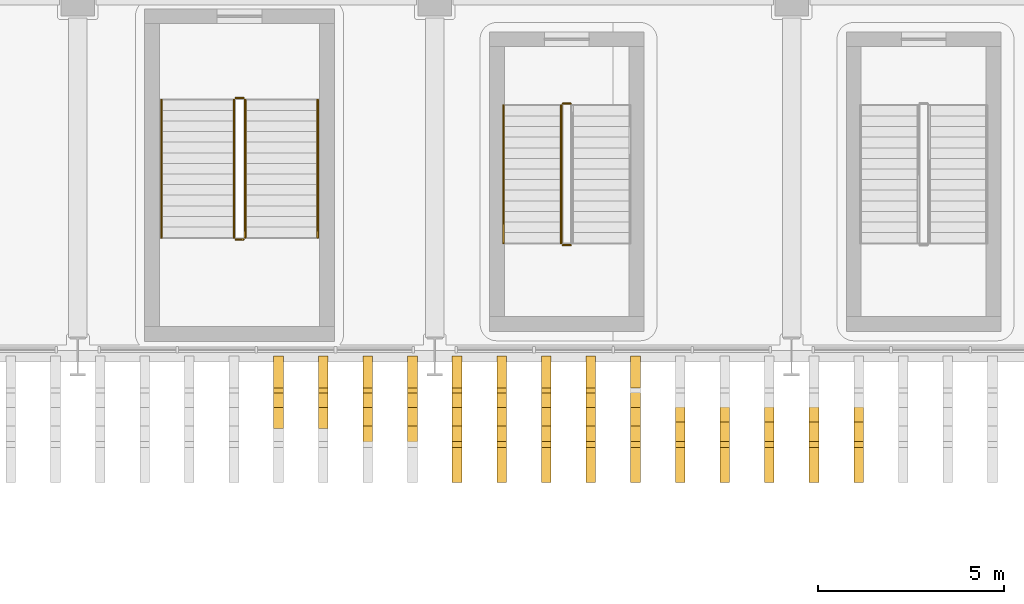
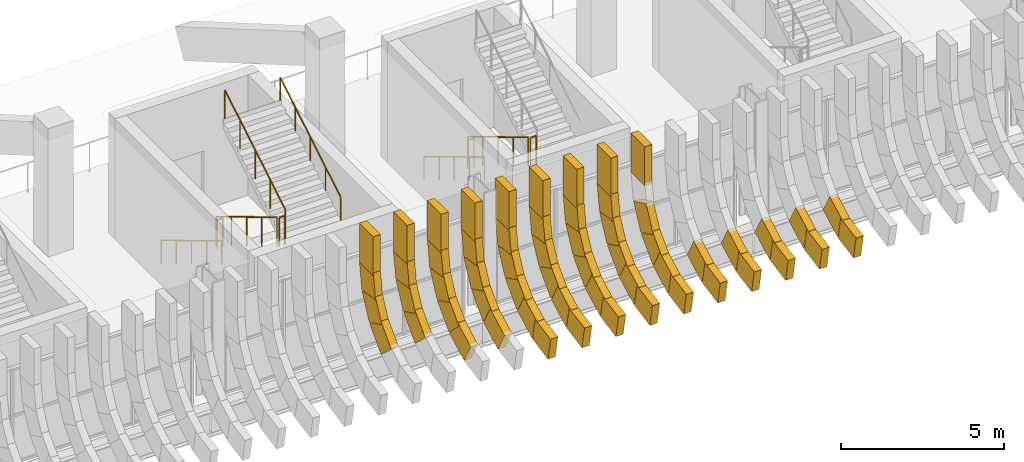
# One storey, part 72 of 100: 57 coverings, 10 railings.
"""IFC4 building model written with IfcOpenShell, lengths in metres."""

from ifc_helpers import new_model, si_unit, direction, frame, origin, origin_2d, place, context, subcontext, project, spatial, rectangle, circle, extrude, material, material_profile, profile_set, type_object, element, save


model = new_model("IFC4")

# Units and contexts
model_context = context("Model", 3, precision=1e-05, world=origin(), true_north=direction((0.0, 1.0)))
body_context = subcontext(model_context, "Body", "Model", "MODEL_VIEW")
ifc_project = project(units=[si_unit("LENGTHUNIT", "METRE"), si_unit("AREAUNIT", "SQUARE_METRE"), si_unit("VOLUMEUNIT", "CUBIC_METRE"), si_unit("PLANEANGLEUNIT", "RADIAN"), si_unit("MASSUNIT", "GRAM", prefix="KILO")], contexts=[model_context])

# Site, building, storey
site_placement = place(None, origin())
site = spatial("IfcSite", under=ifc_project, at=site_placement, CompositionType="ELEMENT")
building_placement = place(site_placement, origin())
building = spatial("IfcBuilding", under=site, at=building_placement, Name="Caelomonte Colonnade Arena", CompositionType="ELEMENT")
storey_placement = place(building_placement, origin())
storey = spatial("IfcBuildingStorey", under=building, at=storey_placement, Name="L00", CompositionType="ELEMENT", Elevation=0.0)

# Coverings
ifc_material_1 = material(Name="Precast travertine cladding", Category="masonry")
ifc_material_profile = material_profile(ifc_material_1, rectangle(XDim=0.260009765625, YDim=0.85009765625, at=origin_2d()), Name="FIN260X850")
ifc_profile_set = profile_set([ifc_material_profile], Name="Precast travertine cladding")
covering_type = type_object("IfcCoveringType", Name="ENV-FN-SKIRT", PredefinedType="CLADDING", material=ifc_profile_set)
covering_1_placement = place(storey_placement, frame((101.39990234375, 18.779052734375, 3.360107421875), z_axis=(0.0, 0.0, 1.0), x_axis=(-1.0, 0.0, 0.0)))
element("IfcCovering", 1, at=covering_1_placement, inside=storey, type_object=covering_type, Name="V1 L00 upper classical fin stem 258", PredefinedType="CLADDING", context=body_context, shape_type="SweptSolid", body=[
    extrude(rectangle(XDim=0.260009765625, YDim=0.85009765625, at=origin_2d()), origin(), (0.0, 0.0, 1.0), 1.4599609375),
])
for number, where, z_axis, x_axis, name in (
    (2, (101.39990234375, 18.785888671875, 3.474609375), (0.0, -0.153076342973, -0.988214366027), (-1.0, 0.0, 0.0), "V1 L00 splayed classical fin skirt chord 1 (258)"),
    (3, (101.39990234375, 18.65869140625, 2.563232421875), (0.0, -0.444692864571, -0.89568312265), (-1.0, 0.0, 0.0), "V1 L00 splayed classical fin skirt chord 2 (258)"),
    (4, (101.39990234375, 18.26171875, 1.733154296875), (0.0, -0.694646381209, -0.71935137803), (-1.0, 0.0, 0.0), "V1 L00 splayed classical fin skirt chord 3 (258)"),
):
    element("IfcCovering", number, at=place(storey_placement, frame(where, z_axis=z_axis, x_axis=x_axis)), inside=storey, type_object=covering_type, Name=name, PredefinedType="CLADDING", context=body_context, shape_type="SweptSolid", body=[
        extrude(rectangle(XDim=0.260009765625, YDim=0.85009765625, at=origin_2d()), origin(), (0.0, 0.0, 1.0), 1.008056640625),
    ])
covering_2_placement = place(storey_placement, frame((102.60009765625, 18.779052734375, 3.360107421875), z_axis=(0.0, 0.0, 1.0), x_axis=(-1.0, 0.0, 0.0)))
element("IfcCovering", 5, at=covering_2_placement, inside=storey, type_object=covering_type, Name="V1 L00 upper classical fin stem 259", PredefinedType="CLADDING", context=body_context, shape_type="SweptSolid", body=[
    extrude(rectangle(XDim=0.260009765625, YDim=0.85009765625, at=origin_2d()), origin(), (0.0, 0.0, 1.0), 1.4599609375),
])
for number, where, z_axis, x_axis, name in (
    (6, (102.60009765625, 18.785888671875, 3.474609375), (0.0, -0.153076342973, -0.988214366027), (-1.0, 0.0, 0.0), "V1 L00 splayed classical fin skirt chord 1 (259)"),
    (7, (102.60009765625, 18.65869140625, 2.563232421875), (0.0, -0.444692864571, -0.89568312265), (-1.0, 0.0, 0.0), "V1 L00 splayed classical fin skirt chord 2 (259)"),
    (8, (102.60009765625, 18.26171875, 1.733154296875), (0.0, -0.694646381209, -0.71935137803), (-1.0, 0.0, 0.0), "V1 L00 splayed classical fin skirt chord 3 (259)"),
):
    element("IfcCovering", number, at=place(storey_placement, frame(where, z_axis=z_axis, x_axis=x_axis)), inside=storey, type_object=covering_type, Name=name, PredefinedType="CLADDING", context=body_context, shape_type="SweptSolid", body=[
        extrude(rectangle(XDim=0.260009765625, YDim=0.85009765625, at=origin_2d()), origin(), (0.0, 0.0, 1.0), 1.008056640625),
    ])
covering_3_placement = place(storey_placement, frame((103.800048828125, 18.779052734375, 3.360107421875), z_axis=(0.0, 0.0, 1.0), x_axis=(-1.0, 0.0, 0.0)))
element("IfcCovering", 9, at=covering_3_placement, inside=storey, type_object=covering_type, Name="V1 L00 upper classical fin stem 260", PredefinedType="CLADDING", context=body_context, shape_type="SweptSolid", body=[
    extrude(rectangle(XDim=0.260009765625, YDim=0.85009765625, at=origin_2d()), origin(), (0.0, 0.0, 1.0), 1.4599609375),
])
for number, where, z_axis, x_axis, name in (
    (10, (103.800048828125, 18.785888671875, 3.474609375), (0.0, -0.153076342973, -0.988214366027), (-1.0, 0.0, 0.0), "V1 L00 splayed classical fin skirt chord 1 (260)"),
    (11, (103.800048828125, 18.65869140625, 2.563232421875), (0.0, -0.444692864571, -0.89568312265), (-1.0, 0.0, 0.0), "V1 L00 splayed classical fin skirt chord 2 (260)"),
    (12, (103.800048828125, 18.26171875, 1.733154296875), (0.0, -0.694646381209, -0.71935137803), (-1.0, 0.0, 0.0), "V1 L00 splayed classical fin skirt chord 3 (260)"),
):
    element("IfcCovering", number, at=place(storey_placement, frame(where, z_axis=z_axis, x_axis=x_axis)), inside=storey, type_object=covering_type, Name=name, PredefinedType="CLADDING", context=body_context, shape_type="SweptSolid", body=[
        extrude(rectangle(XDim=0.260009765625, YDim=0.85009765625, at=origin_2d()), origin(), (0.0, 0.0, 1.0), 1.008056640625),
    ])
covering_4_placement = place(storey_placement, frame((103.800048828125, 17.63232421875, 1.061767578125), z_axis=(0.0, -0.879676382338, -0.475572772935), x_axis=(-1.0, 0.0, 0.0)))
element("IfcCovering", 13, at=covering_4_placement, inside=storey, type_object=covering_type, Name="V1 L00 splayed classical fin skirt chord 4 (260)", PredefinedType="CLADDING", context=body_context, shape_type="SweptSolid", body=[
    extrude(rectangle(XDim=0.260009765625, YDim=0.85009765625, at=origin_2d()), origin(), (0.0, 0.0, 1.0), 1.0078125),
])
covering_5_placement = place(storey_placement, frame((105.0, 18.779052734375, 3.360107421875), z_axis=(0.0, 0.0, 1.0), x_axis=(-1.0, 0.0, 0.0)))
element("IfcCovering", 14, at=covering_5_placement, inside=storey, type_object=covering_type, Name="V1 L00 upper classical fin stem 261", PredefinedType="CLADDING", context=body_context, shape_type="SweptSolid", body=[
    extrude(rectangle(XDim=0.260009765625, YDim=0.85009765625, at=origin_2d()), origin(), (0.0, 0.0, 1.0), 1.4599609375),
])
for number, where, z_axis, x_axis, name in (
    (15, (105.0, 18.785888671875, 3.474609375), (0.0, -0.153076342973, -0.988214366027), (-1.0, 0.0, 0.0), "V1 L00 splayed classical fin skirt chord 1 (261)"),
    (16, (105.0, 18.65869140625, 2.563232421875), (0.0, -0.444692864571, -0.89568312265), (-1.0, 0.0, 0.0), "V1 L00 splayed classical fin skirt chord 2 (261)"),
    (17, (105.0, 18.26171875, 1.733154296875), (0.0, -0.694646381209, -0.71935137803), (-1.0, 0.0, 0.0), "V1 L00 splayed classical fin skirt chord 3 (261)"),
):
    element("IfcCovering", number, at=place(storey_placement, frame(where, z_axis=z_axis, x_axis=x_axis)), inside=storey, type_object=covering_type, Name=name, PredefinedType="CLADDING", context=body_context, shape_type="SweptSolid", body=[
        extrude(rectangle(XDim=0.260009765625, YDim=0.85009765625, at=origin_2d()), origin(), (0.0, 0.0, 1.0), 1.008056640625),
    ])
covering_6_placement = place(storey_placement, frame((105.0, 17.63232421875, 1.061767578125), z_axis=(0.0, -0.879676382338, -0.475572772935), x_axis=(-1.0, 0.0, 0.0)))
element("IfcCovering", 18, at=covering_6_placement, inside=storey, type_object=covering_type, Name="V1 L00 splayed classical fin skirt chord 4 (261)", PredefinedType="CLADDING", context=body_context, shape_type="SweptSolid", body=[
    extrude(rectangle(XDim=0.260009765625, YDim=0.85009765625, at=origin_2d()), origin(), (0.0, 0.0, 1.0), 1.0078125),
])
covering_7_placement = place(storey_placement, frame((106.199951171875, 18.779052734375, 3.360107421875), z_axis=(0.0, 0.0, 1.0), x_axis=(-1.0, 0.0, 0.0)))
element("IfcCovering", 19, at=covering_7_placement, inside=storey, type_object=covering_type, Name="V1 L00 upper classical fin stem 262", PredefinedType="CLADDING", context=body_context, shape_type="SweptSolid", body=[
    extrude(rectangle(XDim=0.260009765625, YDim=0.85009765625, at=origin_2d()), origin(), (0.0, 0.0, 1.0), 1.4599609375),
])
for number, where, z_axis, x_axis, name in (
    (20, (106.199951171875, 18.785888671875, 3.474609375), (0.0, -0.153076342973, -0.988214366027), (-1.0, 0.0, 0.0), "V1 L00 splayed classical fin skirt chord 1 (262)"),
    (21, (106.199951171875, 18.65869140625, 2.563232421875), (0.0, -0.444692864571, -0.89568312265), (-1.0, 0.0, 0.0), "V1 L00 splayed classical fin skirt chord 2 (262)"),
    (22, (106.199951171875, 18.26171875, 1.733154296875), (0.0, -0.694646381209, -0.71935137803), (-1.0, 0.0, 0.0), "V1 L00 splayed classical fin skirt chord 3 (262)"),
):
    element("IfcCovering", number, at=place(storey_placement, frame(where, z_axis=z_axis, x_axis=x_axis)), inside=storey, type_object=covering_type, Name=name, PredefinedType="CLADDING", context=body_context, shape_type="SweptSolid", body=[
        extrude(rectangle(XDim=0.260009765625, YDim=0.85009765625, at=origin_2d()), origin(), (0.0, 0.0, 1.0), 1.008056640625),
    ])
covering_8_placement = place(storey_placement, frame((106.199951171875, 17.63232421875, 1.061767578125), z_axis=(0.0, -0.879676382338, -0.475572772935), x_axis=(-1.0, 0.0, 0.0)))
element("IfcCovering", 23, at=covering_8_placement, inside=storey, type_object=covering_type, Name="V1 L00 splayed classical fin skirt chord 4 (262)", PredefinedType="CLADDING", context=body_context, shape_type="SweptSolid", body=[
    extrude(rectangle(XDim=0.260009765625, YDim=0.85009765625, at=origin_2d()), origin(), (0.0, 0.0, 1.0), 1.0078125),
])
covering_9_placement = place(storey_placement, frame((106.199951171875, 16.82958984375, 0.6123046875), z_axis=(0.0, -0.982287485173, -0.187380085582), x_axis=(-1.0, 0.0, 0.0)))
element("IfcCovering", 24, at=covering_9_placement, inside=storey, type_object=covering_type, Name="V1 L00 splayed classical fin skirt chord 5 (262)", PredefinedType="CLADDING", context=body_context, shape_type="SweptSolid", body=[
    extrude(rectangle(XDim=0.260009765625, YDim=0.85009765625, at=origin_2d()), origin(), (0.0, 0.0, 1.0), 0.962890625),
])
covering_10_placement = place(storey_placement, frame((107.39990234375, 18.779052734375, 3.360107421875), z_axis=(0.0, 0.0, 1.0), x_axis=(-1.0, 0.0, 0.0)))
element("IfcCovering", 25, at=covering_10_placement, inside=storey, type_object=covering_type, Name="V1 L00 upper classical fin stem 263", PredefinedType="CLADDING", context=body_context, shape_type="SweptSolid", body=[
    extrude(rectangle(XDim=0.260009765625, YDim=0.85009765625, at=origin_2d()), origin(), (0.0, 0.0, 1.0), 1.4599609375),
])
for number, where, z_axis, x_axis, name in (
    (26, (107.39990234375, 18.785888671875, 3.474609375), (0.0, -0.153076342973, -0.988214366027), (-1.0, 0.0, 0.0), "V1 L00 splayed classical fin skirt chord 1 (263)"),
    (27, (107.39990234375, 18.65869140625, 2.563232421875), (0.0, -0.444692864571, -0.89568312265), (-1.0, 0.0, 0.0), "V1 L00 splayed classical fin skirt chord 2 (263)"),
    (28, (107.39990234375, 18.26171875, 1.733154296875), (0.0, -0.694646381209, -0.71935137803), (-1.0, 0.0, 0.0), "V1 L00 splayed classical fin skirt chord 3 (263)"),
):
    element("IfcCovering", number, at=place(storey_placement, frame(where, z_axis=z_axis, x_axis=x_axis)), inside=storey, type_object=covering_type, Name=name, PredefinedType="CLADDING", context=body_context, shape_type="SweptSolid", body=[
        extrude(rectangle(XDim=0.260009765625, YDim=0.85009765625, at=origin_2d()), origin(), (0.0, 0.0, 1.0), 1.008056640625),
    ])
covering_11_placement = place(storey_placement, frame((107.39990234375, 17.63232421875, 1.061767578125), z_axis=(0.0, -0.879676382338, -0.475572772935), x_axis=(-1.0, 0.0, 0.0)))
element("IfcCovering", 29, at=covering_11_placement, inside=storey, type_object=covering_type, Name="V1 L00 splayed classical fin skirt chord 4 (263)", PredefinedType="CLADDING", context=body_context, shape_type="SweptSolid", body=[
    extrude(rectangle(XDim=0.260009765625, YDim=0.85009765625, at=origin_2d()), origin(), (0.0, 0.0, 1.0), 1.0078125),
])
covering_12_placement = place(storey_placement, frame((107.39990234375, 16.82958984375, 0.6123046875), z_axis=(0.0, -0.982287485173, -0.187380085582), x_axis=(-1.0, 0.0, 0.0)))
element("IfcCovering", 30, at=covering_12_placement, inside=storey, type_object=covering_type, Name="V1 L00 splayed classical fin skirt chord 5 (263)", PredefinedType="CLADDING", context=body_context, shape_type="SweptSolid", body=[
    extrude(rectangle(XDim=0.260009765625, YDim=0.85009765625, at=origin_2d()), origin(), (0.0, 0.0, 1.0), 0.962890625),
])
covering_13_placement = place(storey_placement, frame((108.60009765625, 18.779052734375, 3.360107421875), z_axis=(0.0, 0.0, 1.0), x_axis=(-1.0, 0.0, 0.0)))
element("IfcCovering", 31, at=covering_13_placement, inside=storey, type_object=covering_type, Name="V1 L00 upper classical fin stem 264", PredefinedType="CLADDING", context=body_context, shape_type="SweptSolid", body=[
    extrude(rectangle(XDim=0.260009765625, YDim=0.85009765625, at=origin_2d()), origin(), (0.0, 0.0, 1.0), 1.4599609375),
])
for number, where, z_axis, x_axis, name in (
    (32, (108.60009765625, 18.785888671875, 3.474609375), (0.0, -0.153076342973, -0.988214366027), (-1.0, 0.0, 0.0), "V1 L00 splayed classical fin skirt chord 1 (264)"),
    (33, (108.60009765625, 18.65869140625, 2.563232421875), (0.0, -0.444692864571, -0.89568312265), (-1.0, 0.0, 0.0), "V1 L00 splayed classical fin skirt chord 2 (264)"),
    (34, (108.60009765625, 18.26171875, 1.733154296875), (0.0, -0.694646381209, -0.71935137803), (-1.0, 0.0, 0.0), "V1 L00 splayed classical fin skirt chord 3 (264)"),
):
    element("IfcCovering", number, at=place(storey_placement, frame(where, z_axis=z_axis, x_axis=x_axis)), inside=storey, type_object=covering_type, Name=name, PredefinedType="CLADDING", context=body_context, shape_type="SweptSolid", body=[
        extrude(rectangle(XDim=0.260009765625, YDim=0.85009765625, at=origin_2d()), origin(), (0.0, 0.0, 1.0), 1.008056640625),
    ])
covering_14_placement = place(storey_placement, frame((108.60009765625, 17.63232421875, 1.061767578125), z_axis=(0.0, -0.879676382338, -0.475572772935), x_axis=(-1.0, 0.0, 0.0)))
element("IfcCovering", 35, at=covering_14_placement, inside=storey, type_object=covering_type, Name="V1 L00 splayed classical fin skirt chord 4 (264)", PredefinedType="CLADDING", context=body_context, shape_type="SweptSolid", body=[
    extrude(rectangle(XDim=0.260009765625, YDim=0.85009765625, at=origin_2d()), origin(), (0.0, 0.0, 1.0), 1.0078125),
])
covering_15_placement = place(storey_placement, frame((108.60009765625, 16.82958984375, 0.6123046875), z_axis=(0.0, -0.982287485173, -0.187380085582), x_axis=(-1.0, 0.0, 0.0)))
element("IfcCovering", 36, at=covering_15_placement, inside=storey, type_object=covering_type, Name="V1 L00 splayed classical fin skirt chord 5 (264)", PredefinedType="CLADDING", context=body_context, shape_type="SweptSolid", body=[
    extrude(rectangle(XDim=0.260009765625, YDim=0.85009765625, at=origin_2d()), origin(), (0.0, 0.0, 1.0), 0.962890625),
])
covering_16_placement = place(storey_placement, frame((109.800048828125, 18.779052734375, 3.360107421875), z_axis=(0.0, 0.0, 1.0), x_axis=(-1.0, 0.0, 0.0)))
element("IfcCovering", 37, at=covering_16_placement, inside=storey, type_object=covering_type, Name="V1 L00 upper classical fin stem 265", PredefinedType="CLADDING", context=body_context, shape_type="SweptSolid", body=[
    extrude(rectangle(XDim=0.260009765625, YDim=0.85009765625, at=origin_2d()), origin(), (0.0, 0.0, 1.0), 1.4599609375),
])
for number, where, z_axis, x_axis, name in (
    (38, (109.800048828125, 18.785888671875, 3.474609375), (0.0, -0.153076342973, -0.988214366027), (-1.0, 0.0, 0.0), "V1 L00 splayed classical fin skirt chord 1 (265)"),
    (39, (109.800048828125, 18.65869140625, 2.563232421875), (0.0, -0.444692864571, -0.89568312265), (-1.0, 0.0, 0.0), "V1 L00 splayed classical fin skirt chord 2 (265)"),
    (40, (109.800048828125, 18.26171875, 1.733154296875), (0.0, -0.694646381209, -0.71935137803), (-1.0, 0.0, 0.0), "V1 L00 splayed classical fin skirt chord 3 (265)"),
):
    element("IfcCovering", number, at=place(storey_placement, frame(where, z_axis=z_axis, x_axis=x_axis)), inside=storey, type_object=covering_type, Name=name, PredefinedType="CLADDING", context=body_context, shape_type="SweptSolid", body=[
        extrude(rectangle(XDim=0.260009765625, YDim=0.85009765625, at=origin_2d()), origin(), (0.0, 0.0, 1.0), 1.008056640625),
    ])
covering_17_placement = place(storey_placement, frame((109.800048828125, 17.63232421875, 1.061767578125), z_axis=(0.0, -0.879676382338, -0.475572772935), x_axis=(-1.0, 0.0, 0.0)))
element("IfcCovering", 41, at=covering_17_placement, inside=storey, type_object=covering_type, Name="V1 L00 splayed classical fin skirt chord 4 (265)", PredefinedType="CLADDING", context=body_context, shape_type="SweptSolid", body=[
    extrude(rectangle(XDim=0.260009765625, YDim=0.85009765625, at=origin_2d()), origin(), (0.0, 0.0, 1.0), 1.0078125),
])
covering_18_placement = place(storey_placement, frame((109.800048828125, 16.82958984375, 0.6123046875), z_axis=(0.0, -0.982287485173, -0.187380085582), x_axis=(-1.0, 0.0, 0.0)))
element("IfcCovering", 42, at=covering_18_placement, inside=storey, type_object=covering_type, Name="V1 L00 splayed classical fin skirt chord 5 (265)", PredefinedType="CLADDING", context=body_context, shape_type="SweptSolid", body=[
    extrude(rectangle(XDim=0.260009765625, YDim=0.85009765625, at=origin_2d()), origin(), (0.0, 0.0, 1.0), 0.962890625),
])
covering_19_placement = place(storey_placement, frame((111.0, 18.779052734375, 3.360107421875), z_axis=(0.0, 0.0, 1.0), x_axis=(-1.0, 0.0, 0.0)))
element("IfcCovering", 43, at=covering_19_placement, inside=storey, type_object=covering_type, Name="V1 L00 upper classical fin stem 266", PredefinedType="CLADDING", context=body_context, shape_type="SweptSolid", body=[
    extrude(rectangle(XDim=0.260009765625, YDim=0.85009765625, at=origin_2d()), origin(), (0.0, 0.0, 1.0), 1.4599609375),
])
for number, where, z_axis, x_axis, name in (
    (44, (111.0, 18.65869140625, 2.563232421875), (0.0, -0.444692864571, -0.89568312265), (-1.0, 0.0, 0.0), "V1 L00 splayed classical fin skirt chord 2 (266)"),
    (45, (111.0, 18.26171875, 1.733154296875), (0.0, -0.694646381209, -0.71935137803), (-1.0, 0.0, 0.0), "V1 L00 splayed classical fin skirt chord 3 (266)"),
):
    element("IfcCovering", number, at=place(storey_placement, frame(where, z_axis=z_axis, x_axis=x_axis)), inside=storey, type_object=covering_type, Name=name, PredefinedType="CLADDING", context=body_context, shape_type="SweptSolid", body=[
        extrude(rectangle(XDim=0.260009765625, YDim=0.85009765625, at=origin_2d()), origin(), (0.0, 0.0, 1.0), 1.008056640625),
    ])
covering_20_placement = place(storey_placement, frame((111.0, 17.63232421875, 1.061767578125), z_axis=(0.0, -0.879676382338, -0.475572772935), x_axis=(-1.0, 0.0, 0.0)))
element("IfcCovering", 46, at=covering_20_placement, inside=storey, type_object=covering_type, Name="V1 L00 splayed classical fin skirt chord 4 (266)", PredefinedType="CLADDING", context=body_context, shape_type="SweptSolid", body=[
    extrude(rectangle(XDim=0.260009765625, YDim=0.85009765625, at=origin_2d()), origin(), (0.0, 0.0, 1.0), 1.0078125),
])
covering_21_placement = place(storey_placement, frame((111.0, 16.82958984375, 0.6123046875), z_axis=(0.0, -0.982287485173, -0.187380085582), x_axis=(-1.0, 0.0, 0.0)))
element("IfcCovering", 47, at=covering_21_placement, inside=storey, type_object=covering_type, Name="V1 L00 splayed classical fin skirt chord 5 (266)", PredefinedType="CLADDING", context=body_context, shape_type="SweptSolid", body=[
    extrude(rectangle(XDim=0.260009765625, YDim=0.85009765625, at=origin_2d()), origin(), (0.0, 0.0, 1.0), 0.962890625),
])
covering_22_placement = place(storey_placement, frame((112.199951171875, 17.63232421875, 1.061767578125), z_axis=(0.0, -0.879676382338, -0.475572772935), x_axis=(-1.0, 0.0, 0.0)))
element("IfcCovering", 48, at=covering_22_placement, inside=storey, type_object=covering_type, Name="V1 L00 splayed classical fin skirt chord 4 (267)", PredefinedType="CLADDING", context=body_context, shape_type="SweptSolid", body=[
    extrude(rectangle(XDim=0.260009765625, YDim=0.85009765625, at=origin_2d()), origin(), (0.0, 0.0, 1.0), 1.0078125),
])
covering_23_placement = place(storey_placement, frame((112.199951171875, 16.82958984375, 0.6123046875), z_axis=(0.0, -0.982287485173, -0.187380085582), x_axis=(-1.0, 0.0, 0.0)))
element("IfcCovering", 49, at=covering_23_placement, inside=storey, type_object=covering_type, Name="V1 L00 splayed classical fin skirt chord 5 (267)", PredefinedType="CLADDING", context=body_context, shape_type="SweptSolid", body=[
    extrude(rectangle(XDim=0.260009765625, YDim=0.85009765625, at=origin_2d()), origin(), (0.0, 0.0, 1.0), 0.962890625),
])
covering_24_placement = place(storey_placement, frame((113.39990234375, 17.63232421875, 1.061767578125), z_axis=(0.0, -0.879676382338, -0.475572772935), x_axis=(-1.0, 0.0, 0.0)))
element("IfcCovering", 50, at=covering_24_placement, inside=storey, type_object=covering_type, Name="V1 L00 splayed classical fin skirt chord 4 (268)", PredefinedType="CLADDING", context=body_context, shape_type="SweptSolid", body=[
    extrude(rectangle(XDim=0.260009765625, YDim=0.85009765625, at=origin_2d()), origin(), (0.0, 0.0, 1.0), 1.0078125),
])
covering_25_placement = place(storey_placement, frame((113.39990234375, 16.82958984375, 0.6123046875), z_axis=(0.0, -0.982287485173, -0.187380085582), x_axis=(-1.0, 0.0, 0.0)))
element("IfcCovering", 51, at=covering_25_placement, inside=storey, type_object=covering_type, Name="V1 L00 splayed classical fin skirt chord 5 (268)", PredefinedType="CLADDING", context=body_context, shape_type="SweptSolid", body=[
    extrude(rectangle(XDim=0.260009765625, YDim=0.85009765625, at=origin_2d()), origin(), (0.0, 0.0, 1.0), 0.962890625),
])
covering_26_placement = place(storey_placement, frame((114.60009765625, 17.63232421875, 1.061767578125), z_axis=(0.0, -0.879676382338, -0.475572772935), x_axis=(-1.0, 0.0, 0.0)))
element("IfcCovering", 52, at=covering_26_placement, inside=storey, type_object=covering_type, Name="V1 L00 splayed classical fin skirt chord 4 (269)", PredefinedType="CLADDING", context=body_context, shape_type="SweptSolid", body=[
    extrude(rectangle(XDim=0.260009765625, YDim=0.85009765625, at=origin_2d()), origin(), (0.0, 0.0, 1.0), 1.0078125),
])
covering_27_placement = place(storey_placement, frame((114.60009765625, 16.82958984375, 0.6123046875), z_axis=(0.0, -0.982287485173, -0.187380085582), x_axis=(-1.0, 0.0, 0.0)))
element("IfcCovering", 53, at=covering_27_placement, inside=storey, type_object=covering_type, Name="V1 L00 splayed classical fin skirt chord 5 (269)", PredefinedType="CLADDING", context=body_context, shape_type="SweptSolid", body=[
    extrude(rectangle(XDim=0.260009765625, YDim=0.85009765625, at=origin_2d()), origin(), (0.0, 0.0, 1.0), 0.962890625),
])
covering_28_placement = place(storey_placement, frame((115.800048828125, 17.63232421875, 1.061767578125), z_axis=(0.0, -0.879676382338, -0.475572772935), x_axis=(-1.0, 0.0, 0.0)))
element("IfcCovering", 54, at=covering_28_placement, inside=storey, type_object=covering_type, Name="V1 L00 splayed classical fin skirt chord 4 (270)", PredefinedType="CLADDING", context=body_context, shape_type="SweptSolid", body=[
    extrude(rectangle(XDim=0.260009765625, YDim=0.85009765625, at=origin_2d()), origin(), (0.0, 0.0, 1.0), 1.0078125),
])
covering_29_placement = place(storey_placement, frame((115.800048828125, 16.82958984375, 0.6123046875), z_axis=(0.0, -0.982287485173, -0.187380085582), x_axis=(-1.0, 0.0, 0.0)))
element("IfcCovering", 55, at=covering_29_placement, inside=storey, type_object=covering_type, Name="V1 L00 splayed classical fin skirt chord 5 (270)", PredefinedType="CLADDING", context=body_context, shape_type="SweptSolid", body=[
    extrude(rectangle(XDim=0.260009765625, YDim=0.85009765625, at=origin_2d()), origin(), (0.0, 0.0, 1.0), 0.962890625),
])
covering_30_placement = place(storey_placement, frame((117.0, 17.63232421875, 1.061767578125), z_axis=(0.0, -0.879676382338, -0.475572772935), x_axis=(-1.0, 0.0, 0.0)))
element("IfcCovering", 56, at=covering_30_placement, inside=storey, type_object=covering_type, Name="V1 L00 splayed classical fin skirt chord 4 (271)", PredefinedType="CLADDING", context=body_context, shape_type="SweptSolid", body=[
    extrude(rectangle(XDim=0.260009765625, YDim=0.85009765625, at=origin_2d()), origin(), (0.0, 0.0, 1.0), 1.0078125),
])
covering_31_placement = place(storey_placement, frame((117.0, 16.82958984375, 0.6123046875), z_axis=(0.0, -0.982287485173, -0.187380085582), x_axis=(-1.0, 0.0, 0.0)))
element("IfcCovering", 57, at=covering_31_placement, inside=storey, type_object=covering_type, Name="V1 L00 splayed classical fin skirt chord 5 (271)", PredefinedType="CLADDING", context=body_context, shape_type="SweptSolid", body=[
    extrude(rectangle(XDim=0.260009765625, YDim=0.85009765625, at=origin_2d()), origin(), (0.0, 0.0, 1.0), 0.962890625),
])

# Railings
ifc_material_2 = material(Name="Painted galvanized steel stair guard", Category="steel")
railing_type_1 = type_object("IfcRailingType", Name="INT-RL-GRD", PredefinedType="GUARDRAIL", material=ifc_material_2)
railing_1_placement = place(storey_placement, frame((100.199951171875, 26.10009765625, 0.17138671875)))
element("IfcRailing", 58, at=railing_1_placement, inside=storey, type_object=railing_type_1, Name="L00 ST-12 stair guard 1", PredefinedType="GUARDRAIL", context=body_context, shape_type="SweptSolid", body=[
    extrude(circle(Radius=0.02392578125, at=origin_2d()), frame((0.0, 0.0, 1.076171875), z_axis=(0.0, -0.856934400257, 0.515425487977), x_axis=(1.0, 0.0, 0.0)), (0.0, 0.0, 1.0), 4.32373046875),
    extrude(circle(Radius=0.02099609375, at=origin_2d()), origin(), (0.0, 0.0, 1.0), 1.048095703125),
    extrude(circle(Radius=0.02099609375, at=origin_2d()), frame((0.0, -0.92626953125, 0.55712890625)), (0.0, 0.0, 1.0), 1.048095703125),
    extrude(circle(Radius=0.02099609375, at=origin_2d()), frame((0.0, -1.8525390625, 1.1142578125)), (0.0, 0.0, 1.0), 1.048095703125),
    extrude(circle(Radius=0.02099609375, at=origin_2d()), frame((0.0, -2.77880859375, 1.67138671875)), (0.0, 0.0, 1.0), 1.048095703125),
    extrude(circle(Radius=0.02099609375, at=origin_2d()), frame((0.0, -3.705078125, 2.228515625)), (0.0, 0.0, 1.0), 1.048095703125),
])
railing_2_placement = place(storey_placement, frame((100.25, 22.344970703125, 2.39990234375)))
element("IfcRailing", 59, at=railing_2_placement, inside=storey, type_object=railing_type_1, Name="L00 ST-12 stair guard 2", PredefinedType="GUARDRAIL", context=body_context, shape_type="SweptSolid", body=[
    extrude(circle(Radius=0.02392578125, at=origin_2d()), frame((0.0, 0.0, 1.076171875), z_axis=(1.0, 0.0, 0.0), x_axis=(0.0, 1.0, 0.0)), (0.0, 0.0, 1.0), 0.199951171875),
    extrude(circle(Radius=0.02099609375, at=origin_2d()), origin(), (0.0, 0.0, 1.0), 1.048095703125),
    extrude(circle(Radius=0.02099609375, at=origin_2d()), frame((0.199951171875, 0.0, 0.0)), (0.0, 0.0, 1.0), 1.048095703125),
])
railing_3_placement = place(storey_placement, frame((100.5, 22.39501953125, 2.571533203125)))
element("IfcRailing", 60, at=railing_3_placement, inside=storey, type_object=railing_type_1, Name="L00 ST-12 stair guard 3", PredefinedType="GUARDRAIL", context=body_context, shape_type="SweptSolid", body=[
    extrude(circle(Radius=0.02392578125, at=origin_2d()), frame((0.0, 0.0, 1.076171875), z_axis=(0.0, 0.856934400257, 0.515425487977), x_axis=(-1.0, 0.0, 0.0)), (0.0, 0.0, 1.0), 4.32373046875),
    extrude(circle(Radius=0.02099609375, at=origin_2d()), origin(), (0.0, 0.0, 1.0), 1.048095703125),
    extrude(circle(Radius=0.02099609375, at=origin_2d()), frame((0.0, 0.92626953125, 0.55712890625)), (0.0, 0.0, 1.0), 1.048095703125),
    extrude(circle(Radius=0.02099609375, at=origin_2d()), frame((0.0, 1.8525390625, 1.1142578125)), (0.0, 0.0, 1.0), 1.048095703125),
    extrude(circle(Radius=0.02099609375, at=origin_2d()), frame((0.0, 2.77880859375, 1.67138671875)), (0.0, 0.0, 1.0), 1.048095703125),
    extrude(circle(Radius=0.02099609375, at=origin_2d()), frame((0.0, 3.705078125, 2.228515625)), (0.0, 0.0, 1.0), 1.048095703125),
])
railing_4_placement = place(storey_placement, frame((100.25, 26.14990234375, 0.0)))
element("IfcRailing", 61, at=railing_4_placement, inside=storey, type_object=railing_type_1, Name="L00 ST-12 stair guard 4", PredefinedType="GUARDRAIL", context=body_context, shape_type="SweptSolid", body=[
    extrude(circle(Radius=0.02392578125, at=origin_2d()), frame((0.0, 0.0, 1.076171875), z_axis=(1.0, 0.0, 0.0), x_axis=(0.0, 1.0, 0.0)), (0.0, 0.0, 1.0), 0.199951171875),
    extrude(circle(Radius=0.02099609375, at=origin_2d()), origin(), (0.0, 0.0, 1.0), 1.048095703125),
    extrude(circle(Radius=0.02099609375, at=origin_2d()), frame((0.199951171875, 0.0, 0.0)), (0.0, 0.0, 1.0), 1.048095703125),
])
railing_5_placement = place(storey_placement, frame((109.0, 25.949951171875, 0.17138671875)))
element("IfcRailing", 62, at=railing_5_placement, inside=storey, type_object=railing_type_1, Name="L00 ST-V02 stair guard 1", PredefinedType="GUARDRAIL", context=body_context, shape_type="SweptSolid", body=[
    extrude(circle(Radius=0.02392578125, at=origin_2d()), frame((0.0, 0.0, 1.076171875), z_axis=(0.0, -0.856919398105, 0.515450429384), x_axis=(1.0, 0.0, 0.0)), (0.0, 0.0, 1.0), 4.323486328125),
    extrude(circle(Radius=0.02099609375, at=origin_2d()), origin(), (0.0, 0.0, 1.0), 1.048095703125),
    extrude(circle(Radius=0.02099609375, at=origin_2d()), frame((0.0, -0.92626953125, 0.55712890625)), (0.0, 0.0, 1.0), 1.048095703125),
    extrude(circle(Radius=0.02099609375, at=origin_2d()), frame((0.0, -1.8525390625, 1.1142578125)), (0.0, 0.0, 1.0), 1.048095703125),
    extrude(circle(Radius=0.02099609375, at=origin_2d()), frame((0.0, -2.778564453125, 1.67138671875)), (0.0, 0.0, 1.0), 1.048095703125),
    extrude(circle(Radius=0.02099609375, at=origin_2d()), frame((0.0, -3.704833984375, 2.228515625)), (0.0, 0.0, 1.0), 1.048095703125),
])
for number, where, name in (
    (63, (109.050048828125, 22.195068359375, 2.39990234375), "L00 ST-V02 stair guard 2"),
    (64, (109.050048828125, 26.0, 0.0), "L00 ST-V02 stair guard 4"),
):
    element("IfcRailing", number, at=place(storey_placement, frame(where)), inside=storey, type_object=railing_type_1, Name=name, PredefinedType="GUARDRAIL", context=body_context, shape_type="SweptSolid", body=[
        extrude(circle(Radius=0.02392578125, at=origin_2d()), frame((0.0, 0.0, 1.076171875), z_axis=(1.0, 0.0, 0.0), x_axis=(0.0, 1.0, 0.0)), (0.0, 0.0, 1.0), 0.199951171875),
        extrude(circle(Radius=0.02099609375, at=origin_2d()), origin(), (0.0, 0.0, 1.0), 1.048095703125),
        extrude(circle(Radius=0.02099609375, at=origin_2d()), frame((0.199951171875, 0.0, 0.0)), (0.0, 0.0, 1.0), 1.048095703125),
    ])
ifc_material_3 = material(Name="Brushed stainless steel stair handrail", Category="steel")
railing_type_2 = type_object("IfcRailingType", Name="INT-RL-HR", PredefinedType="HANDRAIL", material=ifc_material_3)
railing_6_placement = place(storey_placement, frame((98.25, 26.10009765625, 0.17138671875)))
element("IfcRailing", 65, at=railing_6_placement, inside=storey, type_object=railing_type_2, Name="L00 ST-12 stair handrail 1", PredefinedType="HANDRAIL", context=body_context, shape_type="SweptSolid", body=[
    extrude(circle(Radius=0.02392578125, at=origin_2d()), frame((0.0, 0.0, 0.8759765625), z_axis=(0.0, -0.856934400257, 0.515425487977), x_axis=(1.0, 0.0, 0.0)), (0.0, 0.0, 1.0), 4.32373046875),
    extrude(circle(Radius=0.02099609375, at=origin_2d()), origin(), (0.0, 0.0, 1.0), 0.847900390625),
    extrude(circle(Radius=0.02099609375, at=origin_2d()), frame((0.0, -0.92626953125, 0.55712890625)), (0.0, 0.0, 1.0), 0.847900390625),
    extrude(circle(Radius=0.02099609375, at=origin_2d()), frame((0.0, -1.8525390625, 1.1142578125)), (0.0, 0.0, 1.0), 0.847900390625),
    extrude(circle(Radius=0.02099609375, at=origin_2d()), frame((0.0, -2.77880859375, 1.67138671875)), (0.0, 0.0, 1.0), 0.847900390625),
    extrude(circle(Radius=0.02099609375, at=origin_2d()), frame((0.0, -3.705078125, 2.228515625)), (0.0, 0.0, 1.0), 0.847900390625),
])
railing_7_placement = place(storey_placement, frame((102.449951171875, 22.39501953125, 2.571533203125)))
element("IfcRailing", 66, at=railing_7_placement, inside=storey, type_object=railing_type_2, Name="L00 ST-12 stair handrail 2", PredefinedType="HANDRAIL", context=body_context, shape_type="SweptSolid", body=[
    extrude(circle(Radius=0.02392578125, at=origin_2d()), frame((0.0, 0.0, 0.8759765625), z_axis=(0.0, 0.856934400257, 0.515425487977), x_axis=(-1.0, 0.0, 0.0)), (0.0, 0.0, 1.0), 4.32373046875),
    extrude(circle(Radius=0.02099609375, at=origin_2d()), origin(), (0.0, 0.0, 1.0), 0.847900390625),
    extrude(circle(Radius=0.02099609375, at=origin_2d()), frame((0.0, 0.92626953125, 0.55712890625)), (0.0, 0.0, 1.0), 0.847900390625),
    extrude(circle(Radius=0.02099609375, at=origin_2d()), frame((0.0, 1.8525390625, 1.1142578125)), (0.0, 0.0, 1.0), 0.847900390625),
    extrude(circle(Radius=0.02099609375, at=origin_2d()), frame((0.0, 2.77880859375, 1.67138671875)), (0.0, 0.0, 1.0), 0.847900390625),
    extrude(circle(Radius=0.02099609375, at=origin_2d()), frame((0.0, 3.705078125, 2.228515625)), (0.0, 0.0, 1.0), 0.847900390625),
])
railing_8_placement = place(storey_placement, frame((107.449951171875, 25.949951171875, 0.17138671875)))
element("IfcRailing", 67, at=railing_8_placement, inside=storey, type_object=railing_type_2, Name="L00 ST-V02 stair handrail 1", PredefinedType="HANDRAIL", context=body_context, shape_type="SweptSolid", body=[
    extrude(circle(Radius=0.02392578125, at=origin_2d()), frame((0.0, 0.0, 0.8759765625), z_axis=(0.0, -0.856919398105, 0.515450429384), x_axis=(1.0, 0.0, 0.0)), (0.0, 0.0, 1.0), 4.323486328125),
    extrude(circle(Radius=0.02099609375, at=origin_2d()), origin(), (0.0, 0.0, 1.0), 0.847900390625),
    extrude(circle(Radius=0.02099609375, at=origin_2d()), frame((0.0, -0.92626953125, 0.55712890625)), (0.0, 0.0, 1.0), 0.847900390625),
    extrude(circle(Radius=0.02099609375, at=origin_2d()), frame((0.0, -1.8525390625, 1.1142578125)), (0.0, 0.0, 1.0), 0.847900390625),
    extrude(circle(Radius=0.02099609375, at=origin_2d()), frame((0.0, -2.778564453125, 1.67138671875)), (0.0, 0.0, 1.0), 0.847900390625),
    extrude(circle(Radius=0.02099609375, at=origin_2d()), frame((0.0, -3.704833984375, 2.228515625)), (0.0, 0.0, 1.0), 0.847900390625),
])

save(model, "model.ifc")
